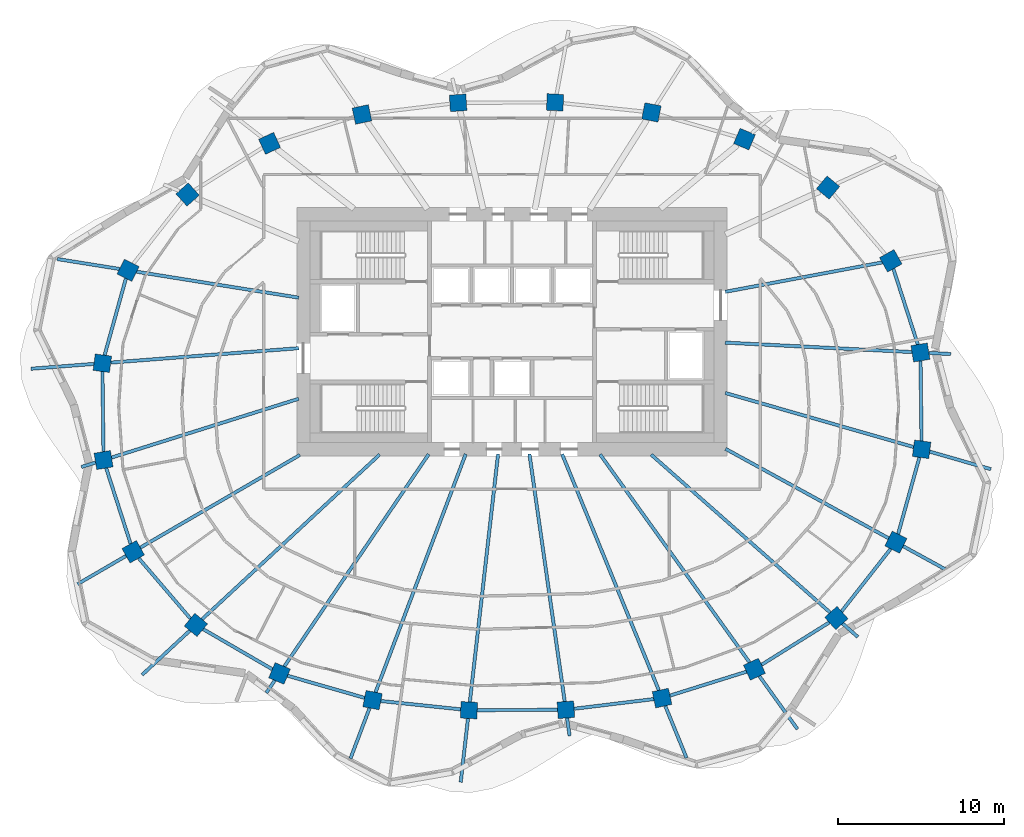
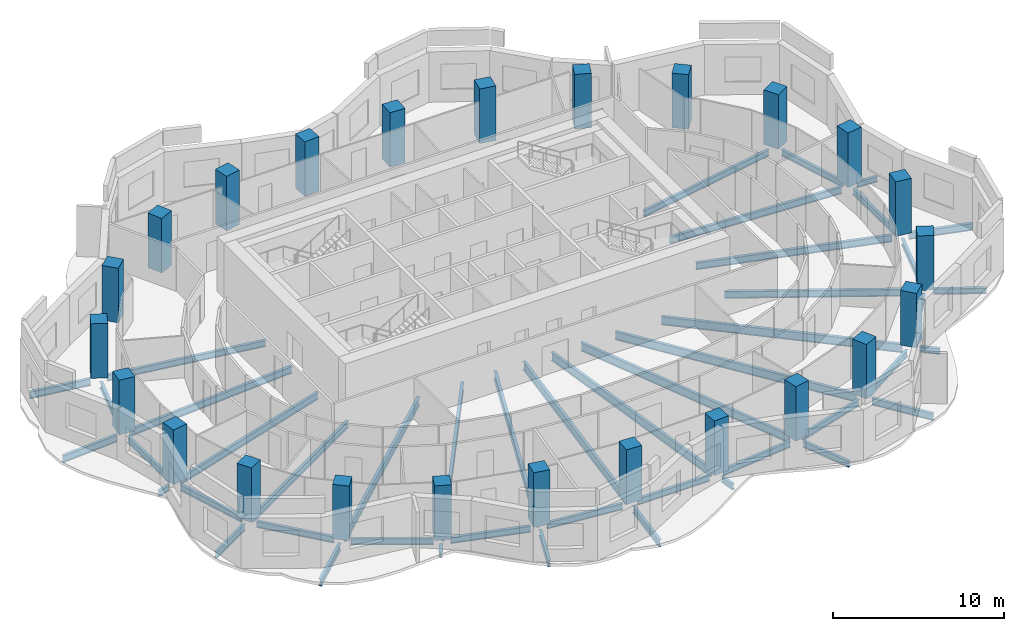
# One storey, part 1 of 10: 46 beams, 24 columns.
"""IFC4 building model written with IfcOpenShell, lengths in metres."""

from ifc_helpers import new_model, si_unit, direction, frame, origin, origin_2d, place, context, subcontext, project, spatial, rectangle, i_section, extrude, material, material_profile, profile_set, type_object, element, save


model = new_model("IFC4")

# Units and contexts
model_context = context("Model", 3, precision=1e-05, world=origin(), true_north=direction((0.0, 1.0)))
body_context = subcontext(model_context, "Body", "Model", "MODEL_VIEW")
ifc_project = project(units=[si_unit("LENGTHUNIT", "METRE"), si_unit("AREAUNIT", "SQUARE_METRE"), si_unit("VOLUMEUNIT", "CUBIC_METRE"), si_unit("PLANEANGLEUNIT", "RADIAN"), si_unit("MASSUNIT", "GRAM", prefix="KILO")], contexts=[model_context])

# Site, building, storey
site_placement = place(None, origin())
site = spatial("IfcSite", under=ifc_project, at=site_placement, CompositionType="ELEMENT")
building_placement = place(site_placement, origin())
building = spatial("IfcBuilding", under=site, at=building_placement, Name="Rubra Terraces Tower", CompositionType="ELEMENT")
storey_placement = place(building_placement, frame((0.0, 0.0, 213.0)))
storey = spatial("IfcBuildingStorey", under=building, at=storey_placement, Name="L52", CompositionType="ELEMENT", Elevation=213.0)

# Columns
ifc_material_1 = material(Name="Concrete C50", Category="concrete")
ifc_material_profile_1 = material_profile(ifc_material_1, rectangle(XDim=1.0, YDim=1.0, at=origin_2d()), Name="RC 1000x1000")
ifc_profile_set_1 = profile_set([ifc_material_profile_1], Name="Concrete C50")
column_type = type_object("IfcColumnType", Name="RING COLUMN RC 1000x1000 C50", PredefinedType="COLUMN", material=ifc_profile_set_1)
for number, where, z_axis, x_axis, name in (
    (1, (24.6689453125, 3.248046875, 0.0), (0.0, 0.0, 1.0), (-0.161559167715, 0.986863027642, 0.0), "column-L52-ring-01"),
    (2, (22.87890625, 8.787109375, 0.0), (0.0, 0.0, 1.0), (-0.48852601316, 0.872549330678, 0.0), "column-L52-ring-02"),
    (3, (19.092041015625, 13.208984375, 0.0), (0.0, 0.0, 1.0), (-0.76886986222, 0.63940529789, 0.0), "column-L52-ring-03"),
    (4, (14.0419921875, 16.135986328125, 0.0), (0.0, 0.0, 1.0), (-0.920167856842, 0.391524092789, 0.0), "column-L52-ring-04"),
    (5, (8.422119140625, 17.7490234375, 0.0), (0.0, 0.0, 1.0), (-0.981654668733, 0.19066754143, 0.0), "column-L52-ring-05"),
    (6, (2.60205078125, 18.35791015625, 0.0), (0.0, 0.0, 1.0), (-0.998764256028, 0.049698700995, 0.0), "column-L52-ring-06"),
    (7, (-3.25390625, 18.330078125, 0.0), (0.0, 0.0, 1.0), (-0.998031548759, -0.062713855578, 0.0), "column-L52-ring-07"),
    (8, (-9.06298828125, 17.625, 0.0), (0.0, 0.0, 1.0), (-0.977652674797, -0.210226657352, 0.0), "column-L52-ring-08"),
    (9, (-14.64306640625, 15.881103515625, 0.0), (0.0, 0.0, 1.0), (-0.908778580451, -0.417278673927, 0.0), "column-L52-ring-09"),
    (10, (-19.593017578125, 12.7900390625, 0.0), (0.0, 0.0, 1.0), (-0.744021317198, -0.668155879683, 0.0), "column-L52-ring-10"),
    (11, (-23.18505859375, 8.2099609375, 0.0), (0.0, 0.0, 1.0), (-0.451027931402, -0.892509834733, 0.0), "column-L52-ring-11"),
    (12, (-24.742919921875, 2.59912109375, 0.0), (0.0, 0.0, 1.0), (-0.128443684554, -0.991716804283, 0.0), "column-L52-ring-12"),
    (13, (-24.6689453125, -3.248046875, 0.0), (0.0, 0.0, 1.0), (0.161559167715, -0.986863027642, 0.0), "column-L52-ring-13"),
    (14, (-22.87890625, -8.787109375, 0.0), (0.0, 0.0, 1.0), (0.48852601316, -0.872549330678, 0.0), "column-L52-ring-14"),
    (15, (-19.092041015625, -13.208984375, 0.0), (0.0, 0.0, 1.0), (0.76886986222, -0.63940529789, 0.0), "column-L52-ring-15"),
    (16, (-14.0419921875, -16.135986328125, 0.0), (0.0, 0.0, 1.0), (0.920167856842, -0.391524092789, 0.0), "column-L52-ring-16"),
    (17, (-8.422119140625, -17.7490234375, 0.0), (0.0, 0.0, 1.0), (0.981654668733, -0.19066754143, 0.0), "column-L52-ring-17"),
    (18, (-2.60205078125, -18.35791015625, 0.0), (0.0, 0.0, 1.0), (0.998764256028, -0.049698700995, 0.0), "column-L52-ring-18"),
    (19, (3.25390625, -18.330078125, 0.0), (0.0, 0.0, 1.0), (0.998031548759, 0.062713855578, 0.0), "column-L52-ring-19"),
    (20, (9.06298828125, -17.625, 0.0), (0.0, 0.0, 1.0), (0.977652674797, 0.210226657352, 0.0), "column-L52-ring-20"),
    (21, (14.64306640625, -15.881103515625, 0.0), (0.0, 0.0, 1.0), (0.908778580451, 0.417278673927, 0.0), "column-L52-ring-21"),
    (22, (19.593017578125, -12.7900390625, 0.0), (0.0, 0.0, 1.0), (0.744021317198, 0.668155879683, 0.0), "column-L52-ring-22"),
    (23, (23.18505859375, -8.2099609375, 0.0), (0.0, 0.0, 1.0), (0.451027931402, 0.892509834733, 0.0), "column-L52-ring-23"),
    (24, (24.742919921875, -2.59912109375, 0.0), (0.0, 0.0, 1.0), (0.128443684554, 0.991716804283, 0.0), "column-L52-ring-24"),
):
    element("IfcColumn", number, at=place(storey_placement, frame(where, z_axis=z_axis, x_axis=x_axis)), inside=storey, type_object=column_type, Name=name, PredefinedType="COLUMN", context=body_context, shape_type="SweptSolid", body=[
        extrude(rectangle(XDim=1.0, YDim=1.0, at=origin_2d()), origin(), (0.0, 0.0, 1.0), 3.89990234375),
    ])

# Beams
ifc_material_2 = material(Name="Steel Q355B", Category="steel")
ifc_material_profile_2 = material_profile(ifc_material_2, i_section(OverallWidth=0.199951171875, OverallDepth=0.39990234375, WebThickness=0.008056640625, FlangeThickness=0.012939453125, at=origin_2d()), Name="HN 400x200x8x13")
ifc_profile_set_2 = profile_set([ifc_material_profile_2], Name="Steel Q355B")
beam_type_1 = type_object("IfcBeamType", Name="CANTILEVER BEAM HN 400x200x8x13", PredefinedType="BEAM", material=ifc_profile_set_2)
beam_1_placement = place(storey_placement, frame((23.6240234375, -8.449951171875, -0.39990234375), z_axis=(0.876753057926, -0.480940823197, 0.0), x_axis=(0.480940823197, 0.876753057926, 0.0)))
element("IfcBeam", 25, at=beam_1_placement, inside=storey, type_object=beam_type_1, Name="beam-L52-cant-23", PredefinedType="BEAM", context=body_context, shape_type="SweptSolid", body=[
    extrude(i_section(OverallWidth=0.199951171875, OverallDepth=0.39990234375, WebThickness=0.008056640625, FlangeThickness=0.012939453125, at=origin_2d()), origin(), (0.0, 0.0, 1.0), 3.0771484375),
])
ifc_material_profile_3 = material_profile(ifc_material_2, i_section(OverallWidth=0.198974609375, OverallDepth=0.446044921875, WebThickness=0.008056640625, FlangeThickness=0.011962890625, at=origin_2d()), Name="HN 446x199x8x12")
ifc_profile_set_3 = profile_set([ifc_material_profile_3], Name="Steel Q355B")
beam_type_2 = type_object("IfcBeamType", Name="CANTILEVER BEAM HN 446x199x8x12", PredefinedType="BEAM", material=ifc_profile_set_3)
beam_2_placement = place(storey_placement, frame((-23.31103515625, -9.0380859375, -0.423095703125), z_axis=(-0.864731547831, -0.50223435783, 0.0), x_axis=(0.50223435783, -0.864731547831, 0.0)))
element("IfcBeam", 26, at=beam_2_placement, inside=storey, type_object=beam_type_2, Name="beam-L52-cant-14", PredefinedType="BEAM", context=body_context, shape_type="SweptSolid", body=[
    extrude(i_section(OverallWidth=0.198974609375, OverallDepth=0.446044921875, WebThickness=0.008056640625, FlangeThickness=0.011962890625, at=origin_2d()), origin(), (0.0, 0.0, 1.0), 3.396484375),
])
beam_3_placement = place(storey_placement, frame((-8.60205078125, -18.222900390625, -0.423095703125), z_axis=(-0.353886787497, -0.935288266597, 0.0), x_axis=(0.935288266597, -0.353886787497, 0.0)))
element("IfcBeam", 27, at=beam_3_placement, inside=storey, type_object=beam_type_2, Name="beam-L52-cant-17", PredefinedType="BEAM", context=body_context, shape_type="SweptSolid", body=[
    extrude(i_section(OverallWidth=0.198974609375, OverallDepth=0.446044921875, WebThickness=0.008056640625, FlangeThickness=0.011962890625, at=origin_2d()), origin(), (0.0, 0.0, 1.0), 3.260986328125),
])
beam_4_placement = place(storey_placement, frame((9.256103515625, -18.094970703125, -0.423095703125), z_axis=(0.378957804719, -0.925413951831, 0.0), x_axis=(0.925413951831, 0.378957804719, 0.0)))
element("IfcBeam", 28, at=beam_4_placement, inside=storey, type_object=beam_type_2, Name="beam-L52-cant-20", PredefinedType="BEAM", context=body_context, shape_type="SweptSolid", body=[
    extrude(i_section(OverallWidth=0.198974609375, OverallDepth=0.446044921875, WebThickness=0.008056640625, FlangeThickness=0.011962890625, at=origin_2d()), origin(), (0.0, 0.0, 1.0), 3.393310546875),
])
ifc_material_profile_4 = material_profile(ifc_material_2, i_section(OverallWidth=0.198974609375, OverallDepth=0.49609375, WebThickness=0.009033203125, FlangeThickness=0.013916015625, at=origin_2d()), Name="HN 496x199x9x14")
ifc_profile_set_4 = profile_set([ifc_material_profile_4], Name="Steel Q355B")
beam_type_3 = type_object("IfcBeamType", Name="CANTILEVER BEAM HN 496x199x9x14", PredefinedType="BEAM", material=ifc_profile_set_4)
beam_5_placement = place(storey_placement, frame((-23.702880859375, 8.29296875, -0.447998046875), z_axis=(-0.98745581053, 0.157895605548, 0.0), x_axis=(-0.157895605548, -0.98745581053, 0.0)))
element("IfcBeam", 29, at=beam_5_placement, inside=storey, type_object=beam_type_3, Name="beam-L52-cant-11", PredefinedType="BEAM", context=body_context, shape_type="SweptSolid", body=[
    extrude(i_section(OverallWidth=0.198974609375, OverallDepth=0.49609375, WebThickness=0.009033203125, FlangeThickness=0.013916015625, at=origin_2d()), origin(), (0.0, 0.0, 1.0), 3.81298828125),
])
beam_6_placement = place(storey_placement, frame((-25.251953125, 2.56005859375, -0.447998046875), z_axis=(-0.997068393292, -0.076515482732, 0.0), x_axis=(0.076515482732, -0.997068393292, 0.0)))
element("IfcBeam", 30, at=beam_6_placement, inside=storey, type_object=beam_type_3, Name="beam-L52-cant-12", PredefinedType="BEAM", context=body_context, shape_type="SweptSolid", body=[
    extrude(i_section(OverallWidth=0.198974609375, OverallDepth=0.49609375, WebThickness=0.009033203125, FlangeThickness=0.013916015625, at=origin_2d()), origin(), (0.0, 0.0, 1.0), 3.816162109375),
])
beam_7_placement = place(storey_placement, frame((-19.4619140625, -13.552001953125, -0.447998046875), z_axis=(-0.733256316267, -0.679952332634, 0.0), x_axis=(0.679952332634, -0.733256316267, 0.0)))
element("IfcBeam", 31, at=beam_7_placement, inside=storey, type_object=beam_type_3, Name="beam-L52-cant-15", PredefinedType="BEAM", context=body_context, shape_type="SweptSolid", body=[
    extrude(i_section(OverallWidth=0.198974609375, OverallDepth=0.49609375, WebThickness=0.009033203125, FlangeThickness=0.013916015625, at=origin_2d()), origin(), (0.0, 0.0, 1.0), 3.92529296875),
])
beam_8_placement = place(storey_placement, frame((-2.658935546875, -18.85595703125, -0.447998046875), z_axis=(-0.113002967093, -0.993594650463, 0.0), x_axis=(0.993594650463, -0.113002967093, 0.0)))
element("IfcBeam", 32, at=beam_8_placement, inside=storey, type_object=beam_type_3, Name="beam-L52-cant-18", PredefinedType="BEAM", context=body_context, shape_type="SweptSolid", body=[
    extrude(i_section(OverallWidth=0.198974609375, OverallDepth=0.49609375, WebThickness=0.009033203125, FlangeThickness=0.013916015625, at=origin_2d()), origin(), (0.0, 0.0, 1.0), 3.8759765625),
])
beam_9_placement = place(storey_placement, frame((14.93994140625, -16.294921875, -0.447998046875), z_axis=(0.583477927211, -0.812128997424, 0.0), x_axis=(0.812128997424, 0.583477927211, 0.0)))
element("IfcBeam", 33, at=beam_9_placement, inside=storey, type_object=beam_type_3, Name="beam-L52-cant-21", PredefinedType="BEAM", context=body_context, shape_type="SweptSolid", body=[
    extrude(i_section(OverallWidth=0.198974609375, OverallDepth=0.49609375, WebThickness=0.009033203125, FlangeThickness=0.013916015625, at=origin_2d()), origin(), (0.0, 0.0, 1.0), 3.9453125),
])
beam_10_placement = place(storey_placement, frame((25.22900390625, -2.738037109375, -0.447998046875), z_axis=(0.961168845491, -0.275960958213, 0.0), x_axis=(0.275960958213, 0.961168845491, 0.0)))
element("IfcBeam", 34, at=beam_10_placement, inside=storey, type_object=beam_type_3, Name="beam-L52-cant-24", PredefinedType="BEAM", context=body_context, shape_type="SweptSolid", body=[
    extrude(i_section(OverallWidth=0.198974609375, OverallDepth=0.49609375, WebThickness=0.009033203125, FlangeThickness=0.013916015625, at=origin_2d()), origin(), (0.0, 0.0, 1.0), 3.848388671875),
])
ifc_material_profile_5 = material_profile(ifc_material_2, i_section(OverallWidth=0.199951171875, OverallDepth=0.39990234375, WebThickness=0.008056640625, FlangeThickness=0.012939453125, at=origin_2d()), Name="HN 400x200x8x13")
ifc_profile_set_5 = profile_set([ifc_material_profile_5], Name="Steel Q355B")
beam_type_4 = type_object("IfcBeamType", Name="CANTILEVER STUB HN 400x200x8x13", PredefinedType="BEAM", material=ifc_profile_set_5)
beam_11_placement = place(storey_placement, frame((25.179931640625, 3.221923828125, -0.39990234375), z_axis=(0.998722263749, -0.050535530982, 0.0), x_axis=(0.050535530982, 0.998722263749, 0.0)))
element("IfcBeam", 35, at=beam_11_placement, inside=storey, type_object=beam_type_4, Name="beam-L52-cant-01", PredefinedType="BEAM", context=body_context, shape_type="SweptSolid", body=[
    extrude(i_section(OverallWidth=0.199951171875, OverallDepth=0.39990234375, WebThickness=0.008056640625, FlangeThickness=0.012939453125, at=origin_2d()), origin(), (0.0, 0.0, 1.0), 1.32373046875),
])
beam_12_placement = place(storey_placement, frame((-25.15087890625, -3.39892578125, -0.39990234375), z_axis=(-0.953893863058, -0.300144128746, 0.0), x_axis=(0.300144128746, -0.953893863058, 0.0)))
element("IfcBeam", 36, at=beam_12_placement, inside=storey, type_object=beam_type_4, Name="beam-L52-cant-13", PredefinedType="BEAM", context=body_context, shape_type="SweptSolid", body=[
    extrude(i_section(OverallWidth=0.199951171875, OverallDepth=0.39990234375, WebThickness=0.008056640625, FlangeThickness=0.012939453125, at=origin_2d()), origin(), (0.0, 0.0, 1.0), 0.899658203125),
])
beam_13_placement = place(storey_placement, frame((-14.3291015625, -16.556884765625, -0.39990234375), z_axis=(-0.56169208574, -0.827346360853, 0.0), x_axis=(0.827346360853, -0.56169208574, 0.0)))
element("IfcBeam", 37, at=beam_13_placement, inside=storey, type_object=beam_type_4, Name="beam-L52-cant-16", PredefinedType="BEAM", context=body_context, shape_type="SweptSolid", body=[
    extrude(i_section(OverallWidth=0.199951171875, OverallDepth=0.39990234375, WebThickness=0.008056640625, FlangeThickness=0.012939453125, at=origin_2d()), origin(), (0.0, 0.0, 1.0), 0.907958984375),
])
beam_14_placement = place(storey_placement, frame((3.324951171875, -18.826904296875, -0.39990234375), z_axis=(0.14107703922, -0.989998620709, 0.0), x_axis=(0.989998620709, 0.14107703922, 0.0)))
element("IfcBeam", 38, at=beam_14_placement, inside=storey, type_object=beam_type_4, Name="beam-L52-cant-19", PredefinedType="BEAM", context=body_context, shape_type="SweptSolid", body=[
    extrude(i_section(OverallWidth=0.199951171875, OverallDepth=0.39990234375, WebThickness=0.008056640625, FlangeThickness=0.012939453125, at=origin_2d()), origin(), (0.0, 0.0, 1.0), 1.092041015625),
])
beam_15_placement = place(storey_placement, frame((19.969970703125, -13.123046875, -0.39990234375), z_axis=(0.749756467988, -0.66171386468, 0.0), x_axis=(0.66171386468, 0.749756467988, 0.0)))
element("IfcBeam", 39, at=beam_15_placement, inside=storey, type_object=beam_type_4, Name="beam-L52-cant-22", PredefinedType="BEAM", context=body_context, shape_type="SweptSolid", body=[
    extrude(i_section(OverallWidth=0.199951171875, OverallDepth=0.39990234375, WebThickness=0.008056640625, FlangeThickness=0.012939453125, at=origin_2d()), origin(), (0.0, 0.0, 1.0), 1.2255859375),
])
ifc_material_profile_6 = material_profile(ifc_material_2, i_section(OverallWidth=0.198974609375, OverallDepth=0.446044921875, WebThickness=0.008056640625, FlangeThickness=0.011962890625, at=origin_2d()), Name="HN 446x199x8x12")
ifc_profile_set_6 = profile_set([ifc_material_profile_6], Name="Steel Q355B")
beam_type_5 = type_object("IfcBeamType", Name="FLOOR BEAM HN 446x199x8x12", PredefinedType="BEAM", material=ifc_profile_set_6)
beam_16_placement = place(storey_placement, frame((22.360107421875, 8.68994140625, -0.423095703125), z_axis=(-0.982895681695, -0.18416318553, 0.0), x_axis=(0.18416318553, -0.982895681695, 0.0)))
element("IfcBeam", 40, at=beam_16_placement, inside=storey, type_object=beam_type_5, Name="beam-L52-floor-02", PredefinedType="BEAM", context=body_context, shape_type="SweptSolid", body=[
    extrude(i_section(OverallWidth=0.198974609375, OverallDepth=0.446044921875, WebThickness=0.008056640625, FlangeThickness=0.011962890625, at=origin_2d()), origin(), (0.0, 0.0, 1.0), 9.64306640625),
])
beam_17_placement = place(storey_placement, frame((-22.6669921875, 8.126953125, -0.423095703125), z_axis=(0.987435404133, -0.158023171289, 0.0), x_axis=(0.158023171289, 0.987435404133, 0.0)))
element("IfcBeam", 41, at=beam_17_placement, inside=storey, type_object=beam_type_5, Name="beam-L52-floor-11", PredefinedType="BEAM", context=body_context, shape_type="SweptSolid", body=[
    extrude(i_section(OverallWidth=0.198974609375, OverallDepth=0.446044921875, WebThickness=0.008056640625, FlangeThickness=0.011962890625, at=origin_2d()), origin(), (0.0, 0.0, 1.0), 9.909423828125),
])
ifc_material_profile_7 = material_profile(ifc_material_2, i_section(OverallWidth=0.198974609375, OverallDepth=0.49609375, WebThickness=0.009033203125, FlangeThickness=0.013916015625, at=origin_2d()), Name="HN 496x199x9x14")
ifc_profile_set_7 = profile_set([ifc_material_profile_7], Name="Steel Q355B")
beam_type_6 = type_object("IfcBeamType", Name="FLOOR BEAM HN 496x199x9x14", PredefinedType="BEAM", material=ifc_profile_set_7)
beam_18_placement = place(storey_placement, frame((24.157958984375, 3.27392578125, -0.447998046875), z_axis=(-0.998716228561, 0.050654662269, 0.0), x_axis=(-0.050654662269, -0.998716228561, 0.0)))
element("IfcBeam", 42, at=beam_18_placement, inside=storey, type_object=beam_type_6, Name="beam-L52-floor-01", PredefinedType="BEAM", context=body_context, shape_type="SweptSolid", body=[
    extrude(i_section(OverallWidth=0.198974609375, OverallDepth=0.49609375, WebThickness=0.009033203125, FlangeThickness=0.013916015625, at=origin_2d()), origin(), (0.0, 0.0, 1.0), 11.29248046875),
])
beam_19_placement = place(storey_placement, frame((-24.23388671875, 2.637939453125, -0.447998046875), z_axis=(0.997063306908, 0.076581734234, 0.0), x_axis=(-0.076581734234, 0.997063306908, 0.0)))
element("IfcBeam", 43, at=beam_19_placement, inside=storey, type_object=beam_type_6, Name="beam-L52-floor-12", PredefinedType="BEAM", context=body_context, shape_type="SweptSolid", body=[
    extrude(i_section(OverallWidth=0.198974609375, OverallDepth=0.49609375, WebThickness=0.009033203125, FlangeThickness=0.013916015625, at=origin_2d()), origin(), (0.0, 0.0, 1.0), 11.387451171875),
])
beam_20_placement = place(storey_placement, frame((-24.18701171875, -3.096923828125, -0.447998046875), z_axis=(0.954040699023, 0.299677067204, 0.0), x_axis=(-0.299677067204, 0.954040699023, 0.0)))
element("IfcBeam", 44, at=beam_20_placement, inside=storey, type_object=beam_type_6, Name="beam-L52-floor-13", PredefinedType="BEAM", context=body_context, shape_type="SweptSolid", body=[
    extrude(i_section(OverallWidth=0.198974609375, OverallDepth=0.49609375, WebThickness=0.009033203125, FlangeThickness=0.013916015625, at=origin_2d()), origin(), (0.0, 0.0, 1.0), 11.845458984375),
])
beam_21_placement = place(storey_placement, frame((-22.447021484375, -8.535888671875, -0.447998046875), z_axis=(0.864755491844, 0.502193129508, 0.0), x_axis=(-0.502193129508, 0.864755491844, 0.0)))
element("IfcBeam", 45, at=beam_21_placement, inside=storey, type_object=beam_type_6, Name="beam-L52-floor-14", PredefinedType="BEAM", context=body_context, shape_type="SweptSolid", body=[
    extrude(i_section(OverallWidth=0.198974609375, OverallDepth=0.49609375, WebThickness=0.009033203125, FlangeThickness=0.013916015625, at=origin_2d()), origin(), (0.0, 0.0, 1.0), 11.14306640625),
])
beam_22_placement = place(storey_placement, frame((22.74609375, -7.969970703125, -0.447998046875), z_axis=(-0.876862055903, 0.480742066932, 0.0), x_axis=(-0.480742066932, -0.876862055903, 0.0)))
element("IfcBeam", 46, at=beam_22_placement, inside=storey, type_object=beam_type_6, Name="beam-L52-floor-23", PredefinedType="BEAM", context=body_context, shape_type="SweptSolid", body=[
    extrude(i_section(OverallWidth=0.198974609375, OverallDepth=0.49609375, WebThickness=0.009033203125, FlangeThickness=0.013916015625, at=origin_2d()), origin(), (0.0, 0.0, 1.0), 11.234375),
])
beam_23_placement = place(storey_placement, frame((24.257080078125, -2.4599609375, -0.447998046875), z_axis=(-0.961215754667, 0.275797521707, 0.0), x_axis=(-0.275797521707, -0.961215754667, 0.0)))
element("IfcBeam", 47, at=beam_23_placement, inside=storey, type_object=beam_type_6, Name="beam-L52-floor-24", PredefinedType="BEAM", context=body_context, shape_type="SweptSolid", body=[
    extrude(i_section(OverallWidth=0.198974609375, OverallDepth=0.49609375, WebThickness=0.009033203125, FlangeThickness=0.013916015625, at=origin_2d()), origin(), (0.0, 0.0, 1.0), 11.830810546875),
])
ifc_material_profile_8 = material_profile(ifc_material_2, i_section(OverallWidth=0.198974609375, OverallDepth=0.595947265625, WebThickness=0.010009765625, FlangeThickness=0.014892578125, at=origin_2d()), Name="HN 596x199x10x15")
ifc_profile_set_8 = profile_set([ifc_material_profile_8], Name="Steel Q355B")
beam_type_7 = type_object("IfcBeamType", Name="FLOOR BEAM HN 596x199x10x15", PredefinedType="BEAM", material=ifc_profile_set_8)
beam_24_placement = place(storey_placement, frame((-18.721923828125, -12.865966796875, -0.498046875), z_axis=(0.733130458484, 0.680088031687, 0.0), x_axis=(-0.680088031687, 0.733130458484, 0.0)))
element("IfcBeam", 48, at=beam_24_placement, inside=storey, type_object=beam_type_7, Name="beam-L52-floor-15", PredefinedType="BEAM", context=body_context, shape_type="SweptSolid", body=[
    extrude(i_section(OverallWidth=0.198974609375, OverallDepth=0.595947265625, WebThickness=0.010009765625, FlangeThickness=0.014892578125, at=origin_2d()), origin(), (0.0, 0.0, 1.0), 14.62744140625),
])
beam_25_placement = place(storey_placement, frame((-13.7548828125, -15.715087890625, -0.498046875), z_axis=(0.562545242124, 0.826766503049, 0.0), x_axis=(-0.826766503049, 0.562545242124, 0.0)))
element("IfcBeam", 49, at=beam_25_placement, inside=storey, type_object=beam_type_7, Name="beam-L52-floor-16", PredefinedType="BEAM", context=body_context, shape_type="SweptSolid", body=[
    extrude(i_section(OverallWidth=0.198974609375, OverallDepth=0.595947265625, WebThickness=0.010009765625, FlangeThickness=0.014892578125, at=origin_2d()), origin(), (0.0, 0.0, 1.0), 15.499267578125),
])
beam_26_placement = place(storey_placement, frame((-8.241943359375, -17.27490234375, -0.498046875), z_axis=(0.353955134415, 0.93526240319, 0.0), x_axis=(-0.93526240319, 0.353955134415, 0.0)))
element("IfcBeam", 50, at=beam_26_placement, inside=storey, type_object=beam_type_7, Name="beam-L52-floor-17", PredefinedType="BEAM", context=body_context, shape_type="SweptSolid", body=[
    extrude(i_section(OverallWidth=0.198974609375, OverallDepth=0.595947265625, WebThickness=0.010009765625, FlangeThickness=0.014892578125, at=origin_2d()), origin(), (0.0, 0.0, 1.0), 15.3828125),
])
beam_27_placement = place(storey_placement, frame((-2.544921875, -17.860107421875, -0.498046875), z_axis=(0.113084825914, 0.993585337124, 0.0), x_axis=(-0.993585337124, 0.113084825914, 0.0)))
element("IfcBeam", 51, at=beam_27_placement, inside=storey, type_object=beam_type_7, Name="beam-L52-floor-18", PredefinedType="BEAM", context=body_context, shape_type="SweptSolid", body=[
    extrude(i_section(OverallWidth=0.198974609375, OverallDepth=0.595947265625, WebThickness=0.010009765625, FlangeThickness=0.014892578125, at=origin_2d()), origin(), (0.0, 0.0, 1.0), 15.07568359375),
])
beam_28_placement = place(storey_placement, frame((3.18310546875, -17.8330078125, -0.498046875), z_axis=(-0.141104514479, 0.989994705033, 0.0), x_axis=(-0.989994705033, -0.141104514479, 0.0)))
element("IfcBeam", 52, at=beam_28_placement, inside=storey, type_object=beam_type_7, Name="beam-L52-floor-19", PredefinedType="BEAM", context=body_context, shape_type="SweptSolid", body=[
    extrude(i_section(OverallWidth=0.198974609375, OverallDepth=0.595947265625, WebThickness=0.010009765625, FlangeThickness=0.014892578125, at=origin_2d()), origin(), (0.0, 0.0, 1.0), 15.10302734375),
])
beam_29_placement = place(storey_placement, frame((8.8701171875, -17.155029296875, -0.498046875), z_axis=(-0.379015131933, 0.925390474214, 0.0), x_axis=(-0.925390474214, -0.379015131933, 0.0)))
element("IfcBeam", 53, at=beam_29_placement, inside=storey, type_object=beam_type_7, Name="beam-L52-floor-20", PredefinedType="BEAM", context=body_context, shape_type="SweptSolid", body=[
    extrude(i_section(OverallWidth=0.198974609375, OverallDepth=0.595947265625, WebThickness=0.010009765625, FlangeThickness=0.014892578125, at=origin_2d()), origin(), (0.0, 0.0, 1.0), 15.416259765625),
])
beam_30_placement = place(storey_placement, frame((14.345947265625, -15.467041015625, -0.498046875), z_axis=(-0.583528740197, 0.812092488183, 0.0), x_axis=(-0.812092488183, -0.583528740197, 0.0)))
element("IfcBeam", 54, at=beam_30_placement, inside=storey, type_object=beam_type_7, Name="beam-L52-floor-21", PredefinedType="BEAM", context=body_context, shape_type="SweptSolid", body=[
    extrude(i_section(OverallWidth=0.198974609375, OverallDepth=0.595947265625, WebThickness=0.010009765625, FlangeThickness=0.014892578125, at=origin_2d()), origin(), (0.0, 0.0, 1.0), 15.47119140625),
])
beam_31_placement = place(storey_placement, frame((19.216064453125, -12.45703125, -0.498046875), z_axis=(-0.749823025288, 0.661638444128, 0.0), x_axis=(-0.661638444128, -0.749823025288, 0.0)))
element("IfcBeam", 55, at=beam_31_placement, inside=storey, type_object=beam_type_7, Name="beam-L52-floor-22", PredefinedType="BEAM", context=body_context, shape_type="SweptSolid", body=[
    extrude(i_section(OverallWidth=0.198974609375, OverallDepth=0.595947265625, WebThickness=0.010009765625, FlangeThickness=0.014892578125, at=origin_2d()), origin(), (0.0, 0.0, 1.0), 14.412841796875),
])
ifc_material_profile_9 = material_profile(ifc_material_2, i_section(OverallWidth=0.198974609375, OverallDepth=0.446044921875, WebThickness=0.008056640625, FlangeThickness=0.011962890625, at=origin_2d()), Name="HN 446x199x8x12")
ifc_profile_set_9 = profile_set([ifc_material_profile_9], Name="Steel Q355B")
beam_type_8 = type_object("IfcBeamType", Name="SPANDREL BEAM HN 446x199x8x12", PredefinedType="SPANDREL", material=ifc_profile_set_9)
beam_32_placement = place(storey_placement, frame((24.512939453125, 3.72900390625, -0.423095703125), z_axis=(-0.307359002872, 0.951593633519, 0.0), x_axis=(-0.951593633519, -0.307359002872, 0.0)))
element("IfcBeam", 56, at=beam_32_placement, inside=storey, type_object=beam_type_8, Name="beam-L52-spandrel-01", PredefinedType="SPANDREL", context=body_context, shape_type="SweptSolid", body=[
    extrude(i_section(OverallWidth=0.198974609375, OverallDepth=0.446044921875, WebThickness=0.008056640625, FlangeThickness=0.011962890625, at=origin_2d()), origin(), (0.0, 0.0, 1.0), 4.8056640625),
])
beam_33_placement = place(storey_placement, frame((-23.321044921875, 7.718994140625, -0.423095703125), z_axis=(-0.267625533012, -0.963523001324, 0.0), x_axis=(0.963523001324, -0.267625533012, 0.0)))
element("IfcBeam", 57, at=beam_33_placement, inside=storey, type_object=beam_type_8, Name="beam-L52-spandrel-11", PredefinedType="SPANDREL", context=body_context, shape_type="SweptSolid", body=[
    extrude(i_section(OverallWidth=0.198974609375, OverallDepth=0.446044921875, WebThickness=0.008056640625, FlangeThickness=0.011962890625, at=origin_2d()), origin(), (0.0, 0.0, 1.0), 4.808349609375),
])
beam_34_placement = place(storey_placement, frame((-24.737060546875, 2.093994140625, -0.423095703125), z_axis=(0.012822047643, -0.999917794168, 0.0), x_axis=(0.999917794168, 0.012822047643, 0.0)))
element("IfcBeam", 58, at=beam_34_placement, inside=storey, type_object=beam_type_8, Name="beam-L52-spandrel-12", PredefinedType="SPANDREL", context=body_context, shape_type="SweptSolid", body=[
    extrude(i_section(OverallWidth=0.198974609375, OverallDepth=0.446044921875, WebThickness=0.008056640625, FlangeThickness=0.011962890625, at=origin_2d()), origin(), (0.0, 0.0, 1.0), 4.83642578125),
])
beam_35_placement = place(storey_placement, frame((-24.512939453125, -3.72900390625, -0.423095703125), z_axis=(0.307359002872, -0.951593633519, 0.0), x_axis=(0.951593633519, 0.307359002872, 0.0)))
element("IfcBeam", 59, at=beam_35_placement, inside=storey, type_object=beam_type_8, Name="beam-L52-spandrel-13", PredefinedType="SPANDREL", context=body_context, shape_type="SweptSolid", body=[
    extrude(i_section(OverallWidth=0.198974609375, OverallDepth=0.446044921875, WebThickness=0.008056640625, FlangeThickness=0.011962890625, at=origin_2d()), origin(), (0.0, 0.0, 1.0), 4.8056640625),
])
beam_36_placement = place(storey_placement, frame((-22.547119140625, -9.174072265625, -0.423095703125), z_axis=(0.650372836218, -0.759615148552, 0.0), x_axis=(0.759615148552, 0.650372836218, 0.0)))
element("IfcBeam", 60, at=beam_36_placement, inside=storey, type_object=beam_type_8, Name="beam-L52-spandrel-14", PredefinedType="SPANDREL", context=body_context, shape_type="SweptSolid", body=[
    extrude(i_section(OverallWidth=0.198974609375, OverallDepth=0.446044921875, WebThickness=0.008056640625, FlangeThickness=0.011962890625, at=origin_2d()), origin(), (0.0, 0.0, 1.0), 4.804931640625),
])
beam_37_placement = place(storey_placement, frame((-18.653076171875, -13.462890625, -0.423095703125), z_axis=(0.865153680787, -0.501506838059, 0.0), x_axis=(0.501506838059, 0.865153680787, 0.0)))
element("IfcBeam", 61, at=beam_37_placement, inside=storey, type_object=beam_type_8, Name="beam-L52-spandrel-15", PredefinedType="SPANDREL", context=body_context, shape_type="SweptSolid", body=[
    extrude(i_section(OverallWidth=0.198974609375, OverallDepth=0.446044921875, WebThickness=0.008056640625, FlangeThickness=0.011962890625, at=origin_2d()), origin(), (0.0, 0.0, 1.0), 4.82568359375),
])
beam_38_placement = place(storey_placement, frame((-13.55810546875, -16.27490234375, -0.423095703125), z_axis=(0.961171164323, -0.275952881621, 0.0), x_axis=(0.275952881621, 0.961171164323, 0.0)))
element("IfcBeam", 62, at=beam_38_placement, inside=storey, type_object=beam_type_8, Name="beam-L52-spandrel-16", PredefinedType="SPANDREL", context=body_context, shape_type="SweptSolid", body=[
    extrude(i_section(OverallWidth=0.198974609375, OverallDepth=0.446044921875, WebThickness=0.008056640625, FlangeThickness=0.011962890625, at=origin_2d()), origin(), (0.0, 0.0, 1.0), 4.842041015625),
])
beam_39_placement = place(storey_placement, frame((-7.923095703125, -17.801025390625, -0.423095703125), z_axis=(0.994565426955, -0.104113454971, 0.0), x_axis=(0.104113454971, 0.994565426955, 0.0)))
element("IfcBeam", 63, at=beam_39_placement, inside=storey, type_object=beam_type_8, Name="beam-L52-spandrel-17", PredefinedType="SPANDREL", context=body_context, shape_type="SweptSolid", body=[
    extrude(i_section(OverallWidth=0.198974609375, OverallDepth=0.446044921875, WebThickness=0.008056640625, FlangeThickness=0.011962890625, at=origin_2d()), origin(), (0.0, 0.0, 1.0), 4.849365234375),
])
beam_40_placement = place(storey_placement, frame((-2.10107421875, -18.35595703125, -0.423095703125), z_axis=(0.999987852299, 0.004929021704, 0.0), x_axis=(-0.004929021704, 0.999987852299, 0.0)))
element("IfcBeam", 64, at=beam_40_placement, inside=storey, type_object=beam_type_8, Name="beam-L52-spandrel-18", PredefinedType="SPANDREL", context=body_context, shape_type="SweptSolid", body=[
    extrude(i_section(OverallWidth=0.198974609375, OverallDepth=0.446044921875, WebThickness=0.008056640625, FlangeThickness=0.011962890625, at=origin_2d()), origin(), (0.0, 0.0, 1.0), 4.85400390625),
])
beam_41_placement = place(storey_placement, frame((3.7509765625, -18.27001953125, -0.423095703125), z_axis=(0.992698018573, 0.120626049929, 0.0), x_axis=(-0.120626049929, 0.992698018573, 0.0)))
element("IfcBeam", 65, at=beam_41_placement, inside=storey, type_object=beam_type_8, Name="beam-L52-spandrel-19", PredefinedType="SPANDREL", context=body_context, shape_type="SweptSolid", body=[
    extrude(i_section(OverallWidth=0.198974609375, OverallDepth=0.446044921875, WebThickness=0.008056640625, FlangeThickness=0.011962890625, at=origin_2d()), origin(), (0.0, 0.0, 1.0), 4.849365234375),
])
beam_42_placement = place(storey_placement, frame((9.5419921875, -17.47509765625, -0.423095703125), z_axis=(0.954462027342, 0.298332429282, 0.0), x_axis=(-0.298332429282, 0.954462027342, 0.0)))
element("IfcBeam", 66, at=beam_42_placement, inside=storey, type_object=beam_type_8, Name="beam-L52-spandrel-20", PredefinedType="SPANDREL", context=body_context, shape_type="SweptSolid", body=[
    extrude(i_section(OverallWidth=0.198974609375, OverallDepth=0.446044921875, WebThickness=0.008056640625, FlangeThickness=0.011962890625, at=origin_2d()), origin(), (0.0, 0.0, 1.0), 4.840576171875),
])
beam_43_placement = place(storey_placement, frame((15.071044921875, -15.614013671875, -0.423095703125), z_axis=(0.848183088492, 0.529703170083, 0.0), x_axis=(-0.529703170083, 0.848183088492, 0.0)))
element("IfcBeam", 67, at=beam_43_placement, inside=storey, type_object=beam_type_8, Name="beam-L52-spandrel-21", PredefinedType="SPANDREL", context=body_context, shape_type="SweptSolid", body=[
    extrude(i_section(OverallWidth=0.198974609375, OverallDepth=0.446044921875, WebThickness=0.008056640625, FlangeThickness=0.011962890625, at=origin_2d()), origin(), (0.0, 0.0, 1.0), 4.8232421875),
])
beam_44_placement = place(storey_placement, frame((19.906005859375, -12.39111328125, -0.423095703125), z_axis=(0.617060338015, 0.786915840004, 0.0), x_axis=(-0.786915840004, 0.617060338015, 0.0)))
element("IfcBeam", 68, at=beam_44_placement, inside=storey, type_object=beam_type_8, Name="beam-L52-spandrel-22", PredefinedType="SPANDREL", context=body_context, shape_type="SweptSolid", body=[
    extrude(i_section(OverallWidth=0.198974609375, OverallDepth=0.446044921875, WebThickness=0.008056640625, FlangeThickness=0.011962890625, at=origin_2d()), origin(), (0.0, 0.0, 1.0), 4.8037109375),
])
beam_45_placement = place(storey_placement, frame((23.321044921875, -7.718994140625, -0.423095703125), z_axis=(0.267625533012, 0.963523001324, 0.0), x_axis=(-0.963523001324, 0.267625533012, 0.0)))
element("IfcBeam", 69, at=beam_45_placement, inside=storey, type_object=beam_type_8, Name="beam-L52-spandrel-23", PredefinedType="SPANDREL", context=body_context, shape_type="SweptSolid", body=[
    extrude(i_section(OverallWidth=0.198974609375, OverallDepth=0.446044921875, WebThickness=0.008056640625, FlangeThickness=0.011962890625, at=origin_2d()), origin(), (0.0, 0.0, 1.0), 4.808349609375),
])
beam_46_placement = place(storey_placement, frame((24.737060546875, -2.093994140625, -0.423095703125), z_axis=(-0.012822047643, 0.999917794168, 0.0), x_axis=(-0.999917794168, -0.012822047643, 0.0)))
element("IfcBeam", 70, at=beam_46_placement, inside=storey, type_object=beam_type_8, Name="beam-L52-spandrel-24", PredefinedType="SPANDREL", context=body_context, shape_type="SweptSolid", body=[
    extrude(i_section(OverallWidth=0.198974609375, OverallDepth=0.446044921875, WebThickness=0.008056640625, FlangeThickness=0.011962890625, at=origin_2d()), origin(), (0.0, 0.0, 1.0), 4.83642578125),
])

save(model, "model.ifc")
